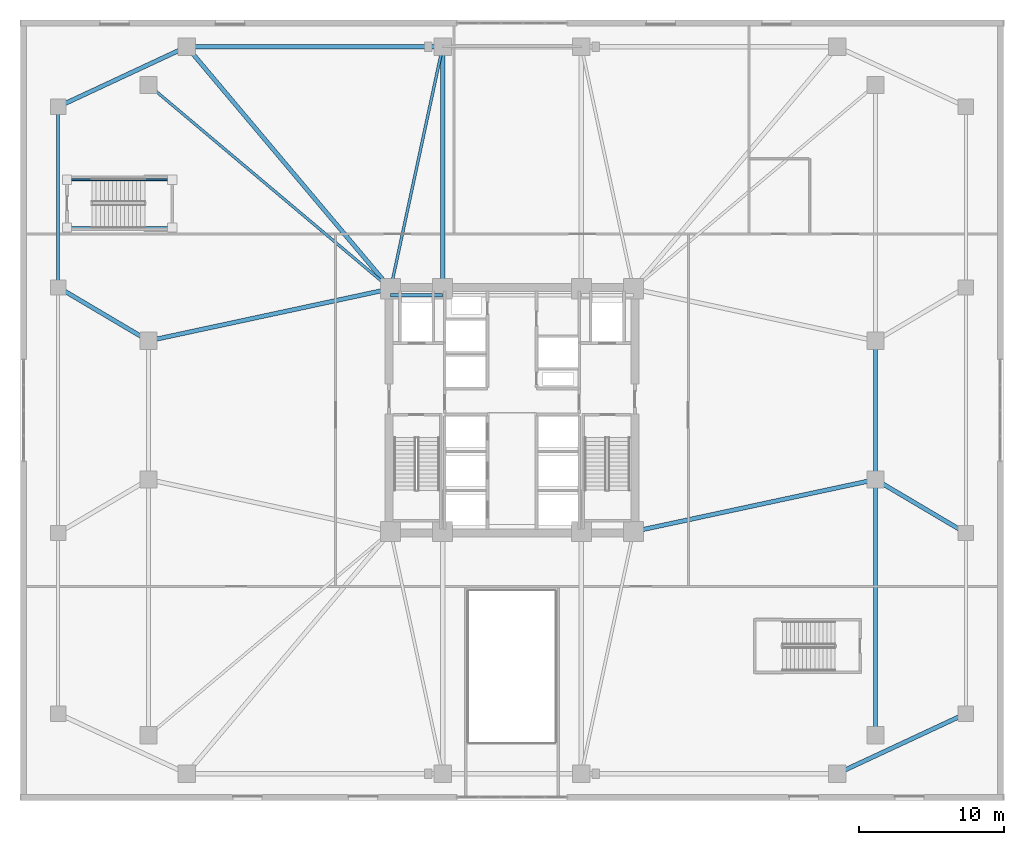
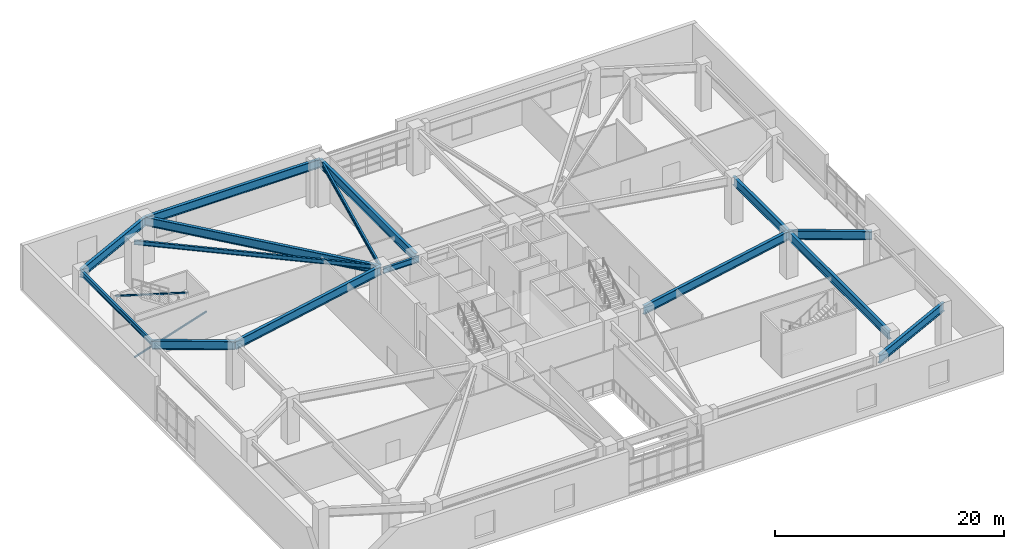
# One storey, part 5 of 20: 15 beams, 2 members.
"""IFC4 building model written with IfcOpenShell, lengths in metres."""

from ifc_helpers import new_model, si_unit, direction, frame, origin, origin_2d, place, context, subcontext, project, spatial, hollow_rectangle, i_section, extrude, material, material_profile, profile_set, type_object, element, save


model = new_model("IFC4")

# Units and contexts
model_context = context("Model", 3, precision=1e-05, world=origin(), true_north=direction((0.0, 1.0)))
body_context = subcontext(model_context, "Body", "Model", "MODEL_VIEW")
ifc_project = project(units=[si_unit("LENGTHUNIT", "METRE"), si_unit("AREAUNIT", "SQUARE_METRE"), si_unit("VOLUMEUNIT", "CUBIC_METRE"), si_unit("PLANEANGLEUNIT", "RADIAN"), si_unit("MASSUNIT", "GRAM", prefix="KILO")], contexts=[model_context])

# Site, building, storey
site_placement = place(None, origin())
site = spatial("IfcSite", under=ifc_project, at=site_placement, CompositionType="ELEMENT")
building_placement = place(site_placement, origin())
building = spatial("IfcBuilding", under=site, at=building_placement, Name="Cairnveth Concourse Tower", CompositionType="ELEMENT")
storey_placement = place(building_placement, frame((0.0, 0.0, 5.0)))
storey = spatial("IfcBuildingStorey", under=building, at=storey_placement, Name="L01", CompositionType="ELEMENT", Elevation=5.0)

# Members
ifc_material_1 = material(Name="Steel C350L0 (350 MPa)", Category="steel")
ifc_material_profile_1 = material_profile(ifc_material_1, hollow_rectangle(XDim=0.14990234375, YDim=0.14990234375, WallThickness=0.009033203125, InnerFilletRadius=0.009033203125, OuterFilletRadius=0.01806640625, at=origin_2d()), Name="150x150x9.0SHS")
ifc_profile_set_1 = profile_set([ifc_material_profile_1], Name="Steel C350L0 (350 MPa)")
member_type = type_object("IfcMemberType", Name="CONCOURSE STAIR STRINGER 150X150X9SHS", PredefinedType="STRINGER", material=ifc_profile_set_1)
member_1_placement = place(storey_placement, frame((21.2099609375, 51.64990234375, 0.14990234375), z_axis=(0.951643625436, 0.0, 0.307204183187), x_axis=(0.0, 1.0, 0.0)))
element("IfcMember", 1, at=member_1_placement, inside=storey, type_object=member_type, Name="Structural Brace STRG-3 L01", PredefinedType="STRINGER", context=body_context, shape_type="SweptSolid", body=[
    extrude(hollow_rectangle(XDim=0.14990234375, YDim=0.14990234375, WallThickness=0.009033203125, InnerFilletRadius=0.009033203125, OuterFilletRadius=0.01806640625, at=origin_2d()), origin(), (0.0, 0.0, 1.0), 7.64990234375),
])
member_2_placement = place(storey_placement, frame((28.489990234375, 54.949951171875, 2.5), z_axis=(-0.957247403329, 0.0, 0.289270476924), x_axis=(0.0, -1.0, 0.0)))
element("IfcMember", 2, at=member_2_placement, inside=storey, type_object=member_type, Name="Structural Brace STRG-4 L01", PredefinedType="STRINGER", context=body_context, shape_type="SweptSolid", body=[
    extrude(hollow_rectangle(XDim=0.14990234375, YDim=0.14990234375, WallThickness=0.009033203125, InnerFilletRadius=0.009033203125, OuterFilletRadius=0.01806640625, at=origin_2d()), origin(), (0.0, 0.0, 1.0), 7.605224609375),
])

# Beams
ifc_material_2 = material(Name="Steel Grade 350", Category="steel")
ifc_material_profile_2 = material_profile(ifc_material_2, i_section(OverallWidth=0.22802734375, OverallDepth=0.60693359375, WebThickness=0.01123046875, FlangeThickness=0.017333984375, FilletRadius=0.013916015625, at=origin_2d()), Name="610UB113")
ifc_profile_set_2 = profile_set([ifc_material_profile_2], Name="Steel Grade 350")
beam_type_1 = type_object("IfcBeamType", Name="CORE TIE BEAM 610UB113", PredefinedType="T_BEAM", material=ifc_profile_set_2)
beam_1_placement = place(storey_placement, frame((43.60009765625, 46.949951171875, 4.41650390625), z_axis=(1.0, 0.0, 0.0), x_axis=(0.0, 1.0, 0.0)))
element("IfcBeam", 3, at=beam_1_placement, inside=storey, type_object=beam_type_1, Name="Beam CT-N1 L01", PredefinedType="T_BEAM", context=body_context, shape_type="SweptSolid", body=[
    extrude(i_section(OverallWidth=0.22802734375, OverallDepth=0.60693359375, WebThickness=0.01123046875, FlangeThickness=0.017333984375, FilletRadius=0.013916015625, at=origin_2d()), origin(), (0.0, 0.0, 1.0), 3.599853515625),
])
ifc_material_profile_3 = material_profile(ifc_material_2, i_section(OverallWidth=0.208984375, OverallDepth=0.532958984375, WebThickness=0.01025390625, FlangeThickness=0.015625, FilletRadius=0.013916015625, at=origin_2d()), Name="530UB92.4")
ifc_profile_set_3 = profile_set([ifc_material_profile_3], Name="Steel Grade 350")
beam_type_2 = type_object("IfcBeamType", Name="PODIUM EDGE SPANDREL 530UB92.4", PredefinedType="SPANDREL", material=ifc_profile_set_3)
beam_2_placement = place(storey_placement, frame((20.60009765625, 47.5, 4.45361328125), z_axis=(0.0, 1.0, 0.0), x_axis=(-1.0, 0.0, 0.0)))
element("IfcBeam", 4, at=beam_2_placement, inside=storey, type_object=beam_type_2, Name="Beam PSP-W3 L01", PredefinedType="SPANDREL", context=body_context, shape_type="SweptSolid", body=[
    extrude(i_section(OverallWidth=0.208984375, OverallDepth=0.532958984375, WebThickness=0.01025390625, FlangeThickness=0.015625, FilletRadius=0.013916015625, at=origin_2d()), origin(), (0.0, 0.0, 1.0), 12.5),
])
ifc_material_profile_4 = material_profile(ifc_material_2, i_section(OverallWidth=0.18994140625, OverallDepth=0.45703125, WebThickness=0.009033203125, FlangeThickness=0.014404296875, FilletRadius=0.010986328125, at=origin_2d()), Name="460UB74.6")
ifc_profile_set_4 = profile_set([ifc_material_profile_4], Name="Steel Grade 350")
beam_type_3 = type_object("IfcBeamType", Name="PODIUM FLOOR JOIST 460UB74.6", PredefinedType="JOIST", material=ifc_profile_set_4)
beam_3_placement = place(storey_placement, frame((26.85009765625, 61.5, 4.491455078125), z_axis=(0.765027427674, -0.643997697905, 0.0), x_axis=(0.643997697905, 0.765027427674, 0.0)))
element("IfcBeam", 5, at=beam_3_placement, inside=storey, type_object=beam_type_3, Name="Beam PJ-NW1 L01", PredefinedType="JOIST", context=body_context, shape_type="SweptSolid", body=[
    extrude(i_section(OverallWidth=0.18994140625, OverallDepth=0.45703125, WebThickness=0.009033203125, FlangeThickness=0.014404296875, FilletRadius=0.010986328125, at=origin_2d()), origin(), (0.0, 0.0, 1.0), 21.89453125),
])
beam_4_placement = place(storey_placement, frame((43.60009765625, 47.39990234375, 4.491455078125), z_axis=(0.210118799239, 0.977675861524, 0.0), x_axis=(-0.977675861524, 0.210118799239, 0.0)))
element("IfcBeam", 6, at=beam_4_placement, inside=storey, type_object=beam_type_3, Name="Beam PJ-N-X L01", PredefinedType="JOIST", context=body_context, shape_type="SweptSolid", body=[
    extrude(i_section(OverallWidth=0.18994140625, OverallDepth=0.45703125, WebThickness=0.009033203125, FlangeThickness=0.014404296875, FilletRadius=0.010986328125, at=origin_2d()), origin(), (0.0, 0.0, 1.0), 17.132568359375),
])
ifc_material_profile_5 = material_profile(ifc_material_2, i_section(OverallWidth=0.300048828125, OverallDepth=0.924072265625, WebThickness=0.013916015625, FlangeThickness=0.031982421875, at=origin_2d()), Name="900WB257")
ifc_profile_set_5 = profile_set([ifc_material_profile_5], Name="Steel Grade 350")
beam_type_4 = type_object("IfcBeamType", Name="PODIUM PRIMARY GIRDER 900WB257", PredefinedType="BEAM", material=ifc_profile_set_5)
for number, where, z_axis, x_axis, name in (
    (7, (74.5, 13.85009765625, 4.258056640625), (0.906315208572, 0.422602345842, 0.0), (-0.422602345842, 0.906315208572, 0.0), "Beam PG-E-S L01"),
    (8, (20.60009765625, 60.0, 4.258056640625), (0.906315208572, 0.422602345842, 0.0), (-0.422602345842, 0.906315208572, 0.0), "Beam PG-W-N L01"),
):
    element("IfcBeam", number, at=place(storey_placement, frame(where, z_axis=z_axis, x_axis=x_axis)), inside=storey, type_object=beam_type_4, Name=name, PredefinedType="BEAM", context=body_context, shape_type="SweptSolid", body=[
        extrude(i_section(OverallWidth=0.300048828125, OverallDepth=0.924072265625, WebThickness=0.013916015625, FlangeThickness=0.031982421875, at=origin_2d()), origin(), (0.0, 0.0, 1.0), 9.81982421875),
    ])
beam_5_placement = place(storey_placement, frame((20.60009765625, 47.5, 4.258056640625), z_axis=(0.860518044459, -0.509419959523, 0.0), x_axis=(0.509419959523, 0.860518044459, 0.0)))
element("IfcBeam", 9, at=beam_5_placement, inside=storey, type_object=beam_type_4, Name="Beam PG-W2 L01", PredefinedType="BEAM", context=body_context, shape_type="SweptSolid", body=[
    extrude(i_section(OverallWidth=0.300048828125, OverallDepth=0.924072265625, WebThickness=0.013916015625, FlangeThickness=0.031982421875, at=origin_2d()), origin(), (0.0, 0.0, 1.0), 7.26318359375),
])
for number, where, z_axis, x_axis, name in (
    (10, (26.85009765625, 43.800048828125, 4.258056640625), (0.977675861524, 0.210118799239, 0.0), (-0.210118799239, 0.977675861524, 0.0), "Beam PG-W2B L01"),
    (11, (60.39990234375, 30.60009765625, 4.258056640625), (0.977675861524, 0.210118799239, 0.0), (-0.210118799239, 0.977675861524, 0.0), "Beam PG-E1 L01"),
):
    element("IfcBeam", number, at=place(storey_placement, frame(where, z_axis=z_axis, x_axis=x_axis)), inside=storey, type_object=beam_type_4, Name=name, PredefinedType="BEAM", context=body_context, shape_type="SweptSolid", body=[
        extrude(i_section(OverallWidth=0.300048828125, OverallDepth=0.924072265625, WebThickness=0.013916015625, FlangeThickness=0.031982421875, at=origin_2d()), origin(), (0.0, 0.0, 1.0), 17.132568359375),
    ])
beam_6_placement = place(storey_placement, frame((77.14990234375, 34.199951171875, 4.258056640625), z_axis=(0.860518044459, -0.509419959523, 0.0), x_axis=(0.509419959523, 0.860518044459, 0.0)))
element("IfcBeam", 12, at=beam_6_placement, inside=storey, type_object=beam_type_4, Name="Beam PG-E1B L01", PredefinedType="BEAM", context=body_context, shape_type="SweptSolid", body=[
    extrude(i_section(OverallWidth=0.300048828125, OverallDepth=0.924072265625, WebThickness=0.013916015625, FlangeThickness=0.031982421875, at=origin_2d()), origin(), (0.0, 0.0, 1.0), 7.26318359375),
])
beam_7_placement = place(storey_placement, frame((47.199951171875, 47.39990234375, 4.258056640625), z_axis=(0.0, 1.0, 0.0), x_axis=(-1.0, 0.0, 0.0)))
element("IfcBeam", 13, at=beam_7_placement, inside=storey, type_object=beam_type_4, Name="Beam PG-N1 L01", PredefinedType="BEAM", context=body_context, shape_type="SweptSolid", body=[
    extrude(i_section(OverallWidth=0.300048828125, OverallDepth=0.924072265625, WebThickness=0.013916015625, FlangeThickness=0.031982421875, at=origin_2d()), origin(), (0.0, 0.0, 1.0), 16.75),
])
beam_8_placement = place(storey_placement, frame((29.5, 64.14990234375, 4.258056640625), z_axis=(0.643997697905, -0.765027427674, 0.0), x_axis=(0.765027427674, 0.643997697905, 0.0)))
element("IfcBeam", 14, at=beam_8_placement, inside=storey, type_object=beam_type_4, Name="Beam PG-CNW L01", PredefinedType="BEAM", context=body_context, shape_type="SweptSolid", body=[
    extrude(i_section(OverallWidth=0.300048828125, OverallDepth=0.924072265625, WebThickness=0.013916015625, FlangeThickness=0.031982421875, at=origin_2d()), origin(), (0.0, 0.0, 1.0), 21.89453125),
])
for number, where, z_axis, x_axis, name in (
    (15, (29.5, 64.14990234375, 4.258056640625), (1.0, 0.0, 0.0), (0.0, 1.0, 0.0), "Beam PR-N1 L01"),
    (16, (77.14990234375, 16.5, 4.258056640625), (0.0, 1.0, 0.0), (-1.0, 0.0, 0.0), "Beam PR-E1 L01"),
):
    element("IfcBeam", number, at=place(storey_placement, frame(where, z_axis=z_axis, x_axis=x_axis)), inside=storey, type_object=beam_type_4, Name=name, PredefinedType="BEAM", context=body_context, shape_type="SweptSolid", body=[
        extrude(i_section(OverallWidth=0.300048828125, OverallDepth=0.924072265625, WebThickness=0.013916015625, FlangeThickness=0.031982421875, at=origin_2d()), origin(), (0.0, 0.0, 1.0), 17.699951171875),
    ])
beam_9_placement = place(storey_placement, frame((77.14990234375, 34.199951171875, 4.258056640625), z_axis=(0.0, 1.0, 0.0), x_axis=(-1.0, 0.0, 0.0)))
element("IfcBeam", 17, at=beam_9_placement, inside=storey, type_object=beam_type_4, Name="Beam PR-E2 L01", PredefinedType="BEAM", context=body_context, shape_type="SweptSolid", body=[
    extrude(i_section(OverallWidth=0.300048828125, OverallDepth=0.924072265625, WebThickness=0.013916015625, FlangeThickness=0.031982421875, at=origin_2d()), origin(), (0.0, 0.0, 1.0), 9.60009765625),
])

save(model, "model.ifc")
